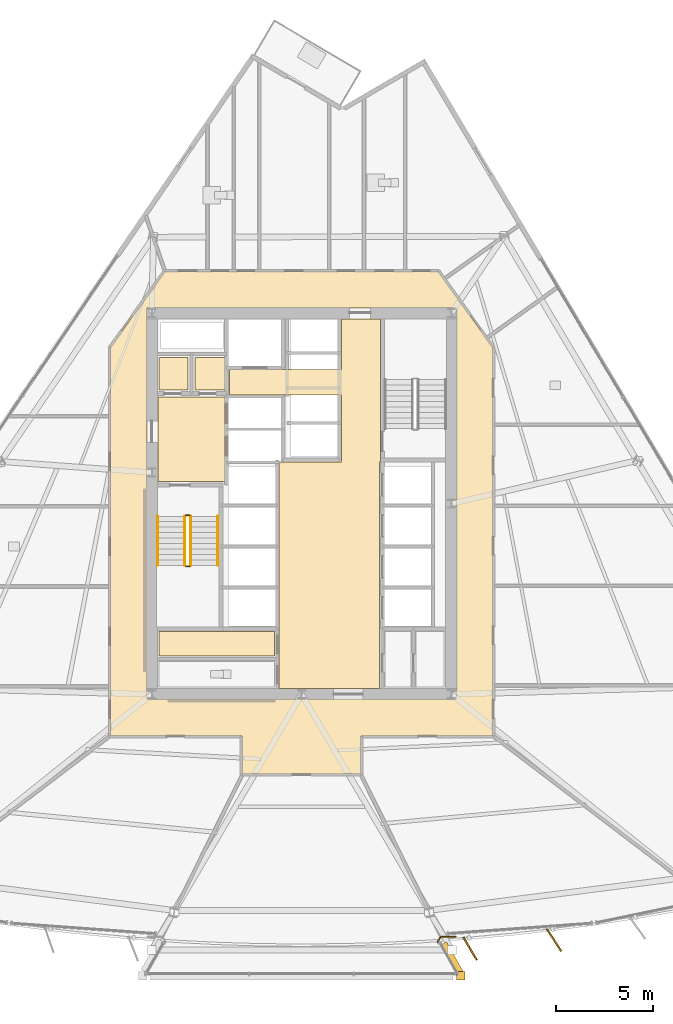
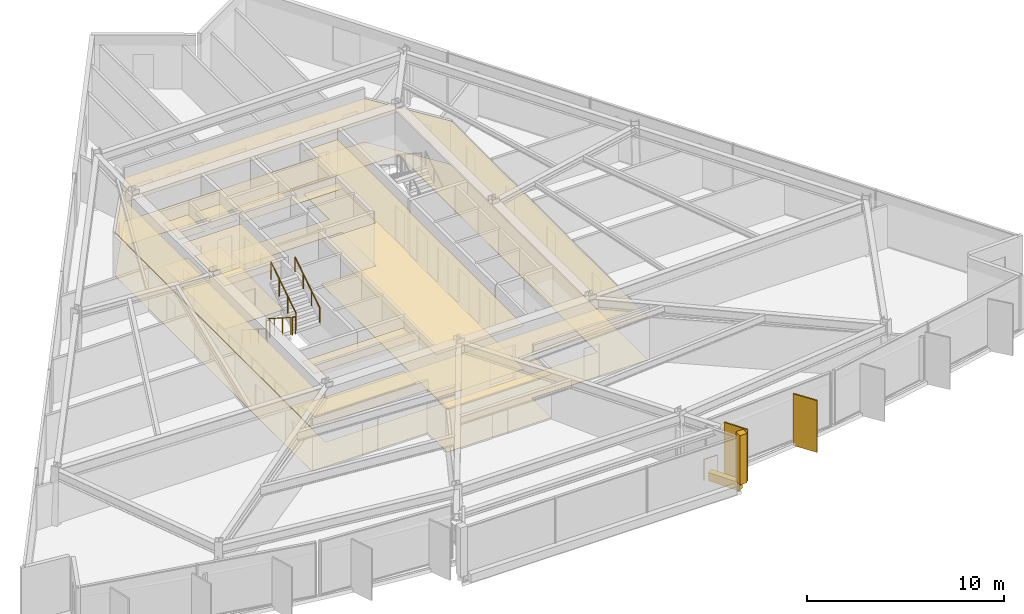
# One storey, part 13 of 16: 14 coverings, 7 railings, 2 shading devices.
"""IFC4 building model written with IfcOpenShell, lengths in metres."""

from ifc_helpers import new_model, si_unit, direction, frame, origin, origin_2d, place, context, subcontext, project, spatial, polyline, rectangle, circle, outline, extrude, material, layer, layer_set, type_object, element, save


model = new_model("IFC4")

# Units and contexts
model_context = context("Model", 3, precision=1e-05, world=origin(), true_north=direction((0.0, 1.0)))
body_context = subcontext(model_context, "Body", "Model", "MODEL_VIEW")
ifc_project = project(units=[si_unit("LENGTHUNIT", "METRE"), si_unit("AREAUNIT", "SQUARE_METRE"), si_unit("VOLUMEUNIT", "CUBIC_METRE"), si_unit("PLANEANGLEUNIT", "RADIAN"), si_unit("MASSUNIT", "GRAM", prefix="KILO")], contexts=[model_context])

# Site, building, storey
site_placement = place(None, origin())
site = spatial("IfcSite", under=ifc_project, at=site_placement, CompositionType="ELEMENT")
building_placement = place(site_placement, origin())
building = spatial("IfcBuilding", under=site, at=building_placement, Name="Savorim Split Tower", CompositionType="ELEMENT")
storey_placement = place(building_placement, frame((0.0, 0.0, 66.0)))
storey = spatial("IfcBuildingStorey", under=building, at=storey_placement, Name="L17", CompositionType="ELEMENT", Elevation=66.0)

# Coverings
ifc_material_1 = material(Name="Mineral Fibre Acoustic Ceiling")
ifc_layer_1 = layer(ifc_material_1, 0.02490234375)
ifc_layer_set_1 = layer_set([ifc_layer_1], Name="COV-CEIL-25")
covering_type_1 = type_object("IfcCoveringType", Name="COV-CEIL-25", PredefinedType="CEILING", material=ifc_layer_set_1)
covering_1_placement = place(storey_placement, frame((0.0, 0.0, 2.669921875)))
element("IfcCovering", 1, at=covering_1_placement, inside=storey, type_object=covering_type_1, Name="L17 Firefighting Lift Lobby Acoustic Ceiling", PredefinedType="CEILING", context=body_context, shape_type="SweptSolid", body=[
    extrude(outline(polyline([(-7.3798828125, 5.8701171875), (-7.3798828125, 1.530029296875), (-3.929931640625, 1.530029296875), (-3.929931640625, 5.8701171875), (-7.3798828125, 5.8701171875)])), origin(), (0.0, 0.0, 1.0), 0.025146484375),
])
covering_2_placement = place(storey_placement, frame((0.0, 0.0, 2.669921875)))
element("IfcCovering", 2, at=covering_2_placement, inside=storey, type_object=covering_type_1, Name="L17 Electrical Riser Acoustic Ceiling", PredefinedType="CEILING", context=body_context, shape_type="SweptSolid", body=[
    extrude(outline(polyline([(-7.320068359375, 7.919921875), (-7.320068359375, 6.22998046875), (-5.830078125, 6.22998046875), (-5.830078125, 7.919921875), (-7.320068359375, 7.919921875)])), origin(), (0.0, 0.0, 1.0), 0.025146484375),
])
covering_3_placement = place(storey_placement, frame((0.0, 0.0, 2.669921875)))
element("IfcCovering", 3, at=covering_3_placement, inside=storey, type_object=covering_type_1, Name="L17 Telecom Riser Acoustic Ceiling", PredefinedType="CEILING", context=body_context, shape_type="SweptSolid", body=[
    extrude(outline(polyline([(-5.469970703125, 7.919921875), (-5.469970703125, 6.22998046875), (-3.929931640625, 6.22998046875), (-3.929931640625, 7.919921875), (-5.469970703125, 7.919921875)])), origin(), (0.0, 0.0, 1.0), 0.025146484375),
])
covering_4_placement = place(storey_placement, frame((0.0, 0.0, 2.669921875)))
element("IfcCovering", 4, at=covering_4_placement, inside=storey, type_object=covering_type_1, Name="L17 Lift Lobby Acoustic Ceiling", PredefinedType="CEILING", context=body_context, shape_type="SweptSolid", body=[
    extrude(outline(polyline([(2.050048828125, 2.550048828125), (-1.14990234375, 2.550048828125), (-1.14990234375, -9.10009765625), (4.0, -9.10009765625), (4.0, 2.550048828125), (4.050048828125, 2.550048828125), (4.050048828125, 5.97998046875), (4.050048828125, 7.300048828125), (4.050048828125, 9.8798828125), (2.050048828125, 9.8798828125), (2.050048828125, 7.300048828125), (-3.699951171875, 7.300048828125), (-3.699951171875, 5.97998046875), (2.050048828125, 5.97998046875), (2.050048828125, 2.550048828125)])), origin(), (0.0, 0.0, 1.0), 0.025146484375),
])
covering_5_placement = place(storey_placement, frame((0.0, 0.0, 2.669921875)))
element("IfcCovering", 5, at=covering_5_placement, inside=storey, type_object=covering_type_1, Name="L17 Cleaning Store Acoustic Ceiling", PredefinedType="CEILING", context=body_context, shape_type="SweptSolid", body=[
    extrude(outline(polyline([(-7.320068359375, -6.179931640625), (-7.320068359375, -7.43994140625), (-1.3798828125, -7.43994140625), (-1.3798828125, -6.179931640625), (-7.320068359375, -6.179931640625)])), origin(), (0.0, 0.0, 1.0), 0.025146484375),
])
covering_6_placement = place(storey_placement, frame((0.0, 0.0, 2.669921875)))
element("IfcCovering", 6, at=covering_6_placement, inside=storey, type_object=covering_type_1, Name="L17 Corridor Acoustic Ceiling", PredefinedType="CEILING", context=body_context, shape_type="SweptSolid", body=[
    extrude(outline(polyline([(7.009521484375, 12.3291015625), (7.004638671875, 12.329833984375), (7.0, 12.330078125), (-7.0, 12.330078125), (-7.004638671875, 12.329833984375), (-7.009521484375, 12.3291015625), (-7.013916015625, 12.327880859375), (-7.0185546875, 12.326416015625), (-7.022705078125, 12.324462890625), (-7.027099609375, 12.322021484375), (-7.03076171875, 12.3193359375), (-7.034423828125, 12.31640625), (-7.03759765625, 12.312744140625), (-7.04052734375, 12.30908203125), (-9.820556640625, 8.42919921875), (-9.823486328125, 8.4248046875), (-9.82568359375, 8.420166015625), (-9.82763671875, 8.415283203125), (-9.828857421875, 8.410400390625), (-9.82958984375, 8.4052734375), (-9.830078125, 8.39990234375), (-9.830078125, -11.47998046875), (-9.829833984375, -11.48486328125), (-9.8291015625, -11.48974609375), (-9.827880859375, -11.494384765625), (-9.826171875, -11.4990234375), (-9.82421875, -11.503662109375), (-9.821533203125, -11.5078125), (-9.818603515625, -11.51171875), (-9.8154296875, -11.515380859375), (-9.811767578125, -11.518798828125), (-9.807861328125, -11.521484375), (-9.8037109375, -11.524169921875), (-9.799072265625, -11.526123046875), (-9.79443359375, -11.52783203125), (-9.789794921875, -11.529052734375), (-9.784912109375, -11.52978515625), (-9.780029296875, -11.530029296875), (-3.050048828125, -11.530029296875), (-3.050048828125, -13.449951171875), (-3.0498046875, -13.454833984375), (-3.049072265625, -13.459716796875), (-3.0478515625, -13.464599609375), (-3.046142578125, -13.468994140625), (-3.044189453125, -13.4736328125), (-3.04150390625, -13.477783203125), (-3.038818359375, -13.481689453125), (-3.035400390625, -13.4853515625), (-3.03173828125, -13.48876953125), (-3.02783203125, -13.49169921875), (-3.023681640625, -13.494140625), (-3.01904296875, -13.49609375), (-3.014404296875, -13.497802734375), (-3.009765625, -13.4990234375), (-3.0048828125, -13.499755859375), (-3.0, -13.5), (3.0, -13.5), (3.0048828125, -13.499755859375), (3.009765625, -13.4990234375), (3.014404296875, -13.497802734375), (3.01904296875, -13.49609375), (3.023681640625, -13.494140625), (3.02783203125, -13.49169921875), (3.03173828125, -13.48876953125), (3.035400390625, -13.4853515625), (3.038818359375, -13.481689453125), (3.04150390625, -13.477783203125), (3.044189453125, -13.4736328125), (3.046142578125, -13.468994140625), (3.0478515625, -13.464599609375), (3.049072265625, -13.459716796875), (3.0498046875, -13.454833984375), (3.050048828125, -13.449951171875), (3.050048828125, -11.530029296875), (9.780029296875, -11.530029296875), (9.784912109375, -11.52978515625), (9.789794921875, -11.529052734375), (9.79443359375, -11.52783203125), (9.799072265625, -11.526123046875), (9.8037109375, -11.524169921875), (9.807861328125, -11.521484375), (9.811767578125, -11.518798828125), (9.8154296875, -11.515380859375), (9.818603515625, -11.51171875), (9.821533203125, -11.5078125), (9.82421875, -11.503662109375), (9.826171875, -11.4990234375), (9.827880859375, -11.494384765625), (9.8291015625, -11.48974609375), (9.829833984375, -11.48486328125), (9.830078125, -11.47998046875), (9.830078125, 8.39990234375), (9.82958984375, 8.4052734375), (9.828857421875, 8.410400390625), (9.82763671875, 8.415283203125), (9.82568359375, 8.420166015625), (9.823486328125, 8.4248046875), (9.820556640625, 8.42919921875), (7.04052734375, 12.30908203125), (7.03759765625, 12.312744140625), (7.034423828125, 12.31640625), (7.03076171875, 12.3193359375), (7.027099609375, 12.322021484375), (7.022705078125, 12.324462890625), (7.0185546875, 12.326416015625), (7.013916015625, 12.327880859375), (7.009521484375, 12.3291015625)]), holes=[polyline([(-7.949951171875, 10.449951171875), (-7.949951171875, -9.64990234375), (7.949951171875, -9.64990234375), (7.949951171875, 10.449951171875), (-7.949951171875, 10.449951171875)])]), origin(), (0.0, 0.0, 1.0), 0.025146484375),
])
ifc_material_2 = material(Name="Porcelain Stoneware Flooring", Category="masonry")
ifc_layer_2 = layer(ifc_material_2, 0.02001953125)
ifc_layer_set_2 = layer_set([ifc_layer_2], Name="COV-FLOR-20")
covering_type_2 = type_object("IfcCoveringType", Name="COV-FLOR-20", PredefinedType="FLOORING", material=ifc_layer_set_2)
covering_7_placement = place(storey_placement, origin())
element("IfcCovering", 7, at=covering_7_placement, inside=storey, type_object=covering_type_2, Name="L17 Firefighting Lift Lobby Porcelain Flooring", PredefinedType="FLOORING", context=body_context, shape_type="SweptSolid", body=[
    extrude(outline(polyline([(-7.3798828125, 5.8701171875), (-7.3798828125, 1.530029296875), (-3.929931640625, 1.530029296875), (-3.929931640625, 5.8701171875), (-7.3798828125, 5.8701171875)])), origin(), (0.0, 0.0, 1.0), 0.02001953125),
])
covering_8_placement = place(storey_placement, origin())
element("IfcCovering", 8, at=covering_8_placement, inside=storey, type_object=covering_type_2, Name="L17 Electrical Riser Porcelain Flooring", PredefinedType="FLOORING", context=body_context, shape_type="SweptSolid", body=[
    extrude(outline(polyline([(-7.320068359375, 7.919921875), (-7.320068359375, 6.22998046875), (-5.830078125, 6.22998046875), (-5.830078125, 7.919921875), (-7.320068359375, 7.919921875)])), origin(), (0.0, 0.0, 1.0), 0.02001953125),
])
covering_9_placement = place(storey_placement, origin())
element("IfcCovering", 9, at=covering_9_placement, inside=storey, type_object=covering_type_2, Name="L17 Telecom Riser Porcelain Flooring", PredefinedType="FLOORING", context=body_context, shape_type="SweptSolid", body=[
    extrude(outline(polyline([(-5.469970703125, 7.919921875), (-5.469970703125, 6.22998046875), (-3.929931640625, 6.22998046875), (-3.929931640625, 7.919921875), (-5.469970703125, 7.919921875)])), origin(), (0.0, 0.0, 1.0), 0.02001953125),
])
covering_10_placement = place(storey_placement, origin())
element("IfcCovering", 10, at=covering_10_placement, inside=storey, type_object=covering_type_2, Name="L17 Lift Lobby Porcelain Flooring", PredefinedType="FLOORING", context=body_context, shape_type="SweptSolid", body=[
    extrude(outline(polyline([(2.050048828125, 2.550048828125), (-1.14990234375, 2.550048828125), (-1.14990234375, -9.10009765625), (4.0, -9.10009765625), (4.0, 2.550048828125), (4.050048828125, 2.550048828125), (4.050048828125, 5.97998046875), (4.050048828125, 7.300048828125), (4.050048828125, 9.8798828125), (2.050048828125, 9.8798828125), (2.050048828125, 7.300048828125), (-3.699951171875, 7.300048828125), (-3.699951171875, 5.97998046875), (2.050048828125, 5.97998046875), (2.050048828125, 2.550048828125)])), origin(), (0.0, 0.0, 1.0), 0.02001953125),
])
covering_11_placement = place(storey_placement, origin())
element("IfcCovering", 11, at=covering_11_placement, inside=storey, type_object=covering_type_2, Name="L17 Cleaning Store Porcelain Flooring", PredefinedType="FLOORING", context=body_context, shape_type="SweptSolid", body=[
    extrude(outline(polyline([(-7.320068359375, -6.179931640625), (-7.320068359375, -7.43994140625), (-1.3798828125, -7.43994140625), (-1.3798828125, -6.179931640625), (-7.320068359375, -6.179931640625)])), origin(), (0.0, 0.0, 1.0), 0.02001953125),
])
covering_12_placement = place(storey_placement, origin())
element("IfcCovering", 12, at=covering_12_placement, inside=storey, type_object=covering_type_2, Name="L17 Corridor Porcelain Flooring", PredefinedType="FLOORING", context=body_context, shape_type="SweptSolid", body=[
    extrude(outline(polyline([(7.009521484375, 12.3291015625), (7.004638671875, 12.329833984375), (7.0, 12.330078125), (-7.0, 12.330078125), (-7.004638671875, 12.329833984375), (-7.009521484375, 12.3291015625), (-7.013916015625, 12.327880859375), (-7.0185546875, 12.326416015625), (-7.022705078125, 12.324462890625), (-7.027099609375, 12.322021484375), (-7.03076171875, 12.3193359375), (-7.034423828125, 12.31640625), (-7.03759765625, 12.312744140625), (-7.04052734375, 12.30908203125), (-9.820556640625, 8.42919921875), (-9.823486328125, 8.4248046875), (-9.82568359375, 8.420166015625), (-9.82763671875, 8.415283203125), (-9.828857421875, 8.410400390625), (-9.82958984375, 8.4052734375), (-9.830078125, 8.39990234375), (-9.830078125, -11.47998046875), (-9.829833984375, -11.48486328125), (-9.8291015625, -11.48974609375), (-9.827880859375, -11.494384765625), (-9.826171875, -11.4990234375), (-9.82421875, -11.503662109375), (-9.821533203125, -11.5078125), (-9.818603515625, -11.51171875), (-9.8154296875, -11.515380859375), (-9.811767578125, -11.518798828125), (-9.807861328125, -11.521484375), (-9.8037109375, -11.524169921875), (-9.799072265625, -11.526123046875), (-9.79443359375, -11.52783203125), (-9.789794921875, -11.529052734375), (-9.784912109375, -11.52978515625), (-9.780029296875, -11.530029296875), (-3.050048828125, -11.530029296875), (-3.050048828125, -13.449951171875), (-3.0498046875, -13.454833984375), (-3.049072265625, -13.459716796875), (-3.0478515625, -13.464599609375), (-3.046142578125, -13.468994140625), (-3.044189453125, -13.4736328125), (-3.04150390625, -13.477783203125), (-3.038818359375, -13.481689453125), (-3.035400390625, -13.4853515625), (-3.03173828125, -13.48876953125), (-3.02783203125, -13.49169921875), (-3.023681640625, -13.494140625), (-3.01904296875, -13.49609375), (-3.014404296875, -13.497802734375), (-3.009765625, -13.4990234375), (-3.0048828125, -13.499755859375), (-3.0, -13.5), (3.0, -13.5), (3.0048828125, -13.499755859375), (3.009765625, -13.4990234375), (3.014404296875, -13.497802734375), (3.01904296875, -13.49609375), (3.023681640625, -13.494140625), (3.02783203125, -13.49169921875), (3.03173828125, -13.48876953125), (3.035400390625, -13.4853515625), (3.038818359375, -13.481689453125), (3.04150390625, -13.477783203125), (3.044189453125, -13.4736328125), (3.046142578125, -13.468994140625), (3.0478515625, -13.464599609375), (3.049072265625, -13.459716796875), (3.0498046875, -13.454833984375), (3.050048828125, -13.449951171875), (3.050048828125, -11.530029296875), (9.780029296875, -11.530029296875), (9.784912109375, -11.52978515625), (9.789794921875, -11.529052734375), (9.79443359375, -11.52783203125), (9.799072265625, -11.526123046875), (9.8037109375, -11.524169921875), (9.807861328125, -11.521484375), (9.811767578125, -11.518798828125), (9.8154296875, -11.515380859375), (9.818603515625, -11.51171875), (9.821533203125, -11.5078125), (9.82421875, -11.503662109375), (9.826171875, -11.4990234375), (9.827880859375, -11.494384765625), (9.8291015625, -11.48974609375), (9.829833984375, -11.48486328125), (9.830078125, -11.47998046875), (9.830078125, 8.39990234375), (9.82958984375, 8.4052734375), (9.828857421875, 8.410400390625), (9.82763671875, 8.415283203125), (9.82568359375, 8.420166015625), (9.823486328125, 8.4248046875), (9.820556640625, 8.42919921875), (7.04052734375, 12.30908203125), (7.03759765625, 12.312744140625), (7.034423828125, 12.31640625), (7.03076171875, 12.3193359375), (7.027099609375, 12.322021484375), (7.022705078125, 12.324462890625), (7.0185546875, 12.326416015625), (7.013916015625, 12.327880859375), (7.009521484375, 12.3291015625)]), holes=[polyline([(-7.949951171875, 10.449951171875), (-7.949951171875, -9.64990234375), (7.949951171875, -9.64990234375), (7.949951171875, 10.449951171875), (-7.949951171875, 10.449951171875)])]), origin(), (0.0, 0.0, 1.0), 0.02001953125),
])
ifc_material_3 = material(Name="White Porcelain Architectural Cladding")
ifc_layer_3 = layer(ifc_material_3, 0.139892578125)
ifc_layer_set_3 = layer_set([ifc_layer_3], Name="COV-FRM-WHITE")
covering_type_3 = type_object("IfcCoveringType", Name="COV-FRM-WHITE", PredefinedType="CLADDING", material=ifc_layer_set_3)
covering_13_placement = place(storey_placement, frame((0.0, 0.0, 0.010009765625)))
element("IfcCovering", 13, at=covering_13_placement, inside=storey, type_object=covering_type_3, Name="L17 Cantilevered Lounge White Lower Frame Band E", PredefinedType="CLADDING", context=body_context, shape_type="SweptSolid", body=[
    extrude(outline(polyline([(8.32958984375, -23.681884765625), (7.443603515625, -22.114990234375), (7.147705078125, -22.282470703125), (8.03369140625, -23.849365234375), (8.32958984375, -23.681884765625)])), origin(), (0.0, 0.0, 1.0), 0.510009765625),
])
covering_14_placement = place(storey_placement, frame((0.0, 0.0, 0.5400390625)))
element("IfcCovering", 14, at=covering_14_placement, inside=storey, type_object=covering_type_3, Name="L17 Cantilevered Lounge White Frame Corner Post 2", PredefinedType="CLADDING", context=body_context, shape_type="SweptSolid", body=[
    extrude(outline(polyline([(7.967529296875, -24.06982421875), (8.3876953125, -24.06982421875), (8.3876953125, -23.64990234375), (7.967529296875, -23.64990234375), (7.967529296875, -24.06982421875)])), origin(), (0.0, 0.0, 1.0), 3.050048828125),
])

# Railings
ifc_material_4 = material(Name="Galvanised Painted Steel Balustrade", Category="steel")
railing_type_1 = type_object("IfcRailingType", Name="RLG-BAL-1100", PredefinedType="BALUSTRADE", material=ifc_material_4)
railing_1_placement = place(storey_placement, frame((6.986328125, -22.13330078125, 0.0)))
element("IfcRailing", 15, at=railing_1_placement, inside=storey, type_object=railing_type_1, Name="L17 Cantilevered Lounge East Edge Closure Guard", PredefinedType="BALUSTRADE", context=body_context, shape_type="SweptSolid", body=[
    extrude(circle(Radius=0.02392578125, at=origin_2d()), frame((0.0, 0.0, 1.076171875), z_axis=(0.481582589665, 0.876400712763, 0.0), x_axis=(-0.876400712763, 0.481582589665, 0.0)), (0.0, 0.0, 1.0), 0.306640625),
    extrude(circle(Radius=0.02392578125, at=origin_2d()), frame((0.147705078125, 0.268798828125, 1.076171875), z_axis=(1.0, 0.0, 0.0), x_axis=(0.0, 1.0, 0.0)), (0.0, 0.0, 1.0), 0.780029296875),
    extrude(circle(Radius=0.02099609375, at=origin_2d()), origin(), (0.0, 0.0, 1.0), 1.052001953125),
    extrude(circle(Radius=0.02099609375, at=origin_2d()), frame((0.147705078125, 0.268798828125, 0.0)), (0.0, 0.0, 1.0), 1.052001953125),
    extrude(circle(Radius=0.02099609375, at=origin_2d()), frame((0.927734375, 0.268798828125, 0.0)), (0.0, 0.0, 1.0), 1.052001953125),
])
railing_type_2 = type_object("IfcRailingType", Name="RLG-HR-900", PredefinedType="HANDRAIL", material=ifc_material_4)
railing_2_placement = place(storey_placement, frame((-7.39990234375, -0.25, 0.179931640625)))
element("IfcRailing", 16, at=railing_2_placement, inside=storey, type_object=railing_type_2, Name="L17 ST-1 stair handrail 1", PredefinedType="HANDRAIL", context=body_context, shape_type="SweptSolid", body=[
    extrude(circle(Radius=0.02392578125, at=origin_2d()), frame((0.0, 0.0, 0.8759765625), z_axis=(0.0, -0.841162588446, 0.540782303519), x_axis=(1.0, 0.0, 0.0)), (0.0, 0.0, 1.0), 2.995849609375),
    extrude(circle(Radius=0.02099609375, at=origin_2d()), origin(), (0.0, 0.0, 1.0), 0.851806640625),
    extrude(circle(Radius=0.02099609375, at=origin_2d()), frame((0.0, -0.840087890625, 0.5400390625)), (0.0, 0.0, 1.0), 0.851806640625),
    extrude(circle(Radius=0.02099609375, at=origin_2d()), frame((0.0, -1.679931640625, 1.080078125)), (0.0, 0.0, 1.0), 0.851806640625),
    extrude(circle(Radius=0.02099609375, at=origin_2d()), frame((0.0, -2.52001953125, 1.6201171875)), (0.0, 0.0, 1.0), 0.851806640625),
])
railing_3_placement = place(storey_placement, frame((-4.300048828125, -2.77001953125, 1.97998046875)))
element("IfcRailing", 17, at=railing_3_placement, inside=storey, type_object=railing_type_2, Name="L17 ST-1 stair handrail 2", PredefinedType="HANDRAIL", context=body_context, shape_type="SweptSolid", body=[
    extrude(circle(Radius=0.02392578125, at=origin_2d()), frame((0.0, 0.0, 0.8759765625), z_axis=(0.0, 0.841162588446, 0.540782303519), x_axis=(-1.0, 0.0, 0.0)), (0.0, 0.0, 1.0), 2.995849609375),
    extrude(circle(Radius=0.02099609375, at=origin_2d()), origin(), (0.0, 0.0, 1.0), 0.851806640625),
    extrude(circle(Radius=0.02099609375, at=origin_2d()), frame((0.0, 0.840087890625, 0.5400390625)), (0.0, 0.0, 1.0), 0.851806640625),
    extrude(circle(Radius=0.02099609375, at=origin_2d()), frame((0.0, 1.679931640625, 1.080078125)), (0.0, 0.0, 1.0), 0.851806640625),
    extrude(circle(Radius=0.02099609375, at=origin_2d()), frame((0.0, 2.52001953125, 1.6201171875)), (0.0, 0.0, 1.0), 0.851806640625),
])
railing_type_3 = type_object("IfcRailingType", Name="RLG-STG-1100", PredefinedType="BALUSTRADE", material=ifc_material_4)
railing_4_placement = place(storey_placement, frame((-6.0, -0.25, 0.179931640625)))
element("IfcRailing", 18, at=railing_4_placement, inside=storey, type_object=railing_type_3, Name="L17 ST-1 stair guard 1", PredefinedType="BALUSTRADE", context=body_context, shape_type="SweptSolid", body=[
    extrude(circle(Radius=0.02392578125, at=origin_2d()), frame((0.0, 0.0, 1.076171875), z_axis=(0.0, -0.841162588446, 0.540782303519), x_axis=(1.0, 0.0, 0.0)), (0.0, 0.0, 1.0), 2.995849609375),
    extrude(circle(Radius=0.02099609375, at=origin_2d()), origin(), (0.0, 0.0, 1.0), 1.052001953125),
    extrude(circle(Radius=0.02099609375, at=origin_2d()), frame((0.0, -0.840087890625, 0.5400390625)), (0.0, 0.0, 1.0), 1.052001953125),
    extrude(circle(Radius=0.02099609375, at=origin_2d()), frame((0.0, -1.679931640625, 1.080078125)), (0.0, 0.0, 1.0), 1.052001953125),
    extrude(circle(Radius=0.02099609375, at=origin_2d()), frame((0.0, -2.52001953125, 1.6201171875)), (0.0, 0.0, 1.0), 1.052001953125),
])
railing_5_placement = place(storey_placement, frame((-5.949951171875, -2.820068359375, 1.800048828125)))
element("IfcRailing", 19, at=railing_5_placement, inside=storey, type_object=railing_type_3, Name="L17 ST-1 stair guard 2", PredefinedType="BALUSTRADE", context=body_context, shape_type="SweptSolid", body=[
    extrude(circle(Radius=0.02392578125, at=origin_2d()), frame((0.0, 0.0, 1.076171875), z_axis=(1.0, 0.0, 0.0), x_axis=(0.0, 1.0, 0.0)), (0.0, 0.0, 1.0), 0.199951171875),
    extrude(circle(Radius=0.02099609375, at=origin_2d()), origin(), (0.0, 0.0, 1.0), 1.052001953125),
    extrude(circle(Radius=0.02099609375, at=origin_2d()), frame((0.199951171875, 0.0, 0.0)), (0.0, 0.0, 1.0), 1.052001953125),
])
railing_6_placement = place(storey_placement, frame((-5.699951171875, -2.77001953125, 1.97998046875)))
element("IfcRailing", 20, at=railing_6_placement, inside=storey, type_object=railing_type_3, Name="L17 ST-1 stair guard 3", PredefinedType="BALUSTRADE", context=body_context, shape_type="SweptSolid", body=[
    extrude(circle(Radius=0.02392578125, at=origin_2d()), frame((0.0, 0.0, 1.076171875), z_axis=(0.0, 0.841162588446, 0.540782303519), x_axis=(-1.0, 0.0, 0.0)), (0.0, 0.0, 1.0), 2.995849609375),
    extrude(circle(Radius=0.02099609375, at=origin_2d()), origin(), (0.0, 0.0, 1.0), 1.052001953125),
    extrude(circle(Radius=0.02099609375, at=origin_2d()), frame((0.0, 0.840087890625, 0.5400390625)), (0.0, 0.0, 1.0), 1.052001953125),
    extrude(circle(Radius=0.02099609375, at=origin_2d()), frame((0.0, 1.679931640625, 1.080078125)), (0.0, 0.0, 1.0), 1.052001953125),
    extrude(circle(Radius=0.02099609375, at=origin_2d()), frame((0.0, 2.52001953125, 1.6201171875)), (0.0, 0.0, 1.0), 1.052001953125),
])
railing_7_placement = place(storey_placement, frame((-5.949951171875, -0.199951171875, 0.0)))
element("IfcRailing", 21, at=railing_7_placement, inside=storey, type_object=railing_type_3, Name="L17 ST-1 stair guard 4", PredefinedType="BALUSTRADE", context=body_context, shape_type="SweptSolid", body=[
    extrude(circle(Radius=0.02392578125, at=origin_2d()), frame((0.0, 0.0, 1.076171875), z_axis=(1.0, 0.0, 0.0), x_axis=(0.0, 1.0, 0.0)), (0.0, 0.0, 1.0), 0.199951171875),
    extrude(circle(Radius=0.02099609375, at=origin_2d()), origin(), (0.0, 0.0, 1.0), 1.052001953125),
    extrude(circle(Radius=0.02099609375, at=origin_2d()), frame((0.199951171875, 0.0, 0.0)), (0.0, 0.0, 1.0), 1.052001953125),
])

# Shading devices
ifc_material_5 = material(Name="Terracotta Ceramic-Coated Aluminium Fin", Category="masonry")
shading_device_type = type_object("IfcShadingDeviceType", Name="SHD-FIN-1360", PredefinedType="USERDEFINED", material=ifc_material_5)
for number, where, z_axis, x_axis, name in (
    (22, (8.659423828125, -22.4716796875, -0.2001953125), (0.0, 0.0, 1.0), (0.510391336723, -0.859942255851, 0.0), "L17 Sawtooth Shading Fin 09"),
    (23, (12.97119140625, -22.029052734375, -0.2001953125), (0.0, 0.0, 1.0), (0.545148321708, -0.838339613366, 0.0), "L17 Sawtooth Shading Fin 10"),
):
    element("IfcShadingDevice", number, at=place(storey_placement, frame(where, z_axis=z_axis, x_axis=x_axis)), inside=storey, type_object=shading_device_type, Name=name, ObjectType="FIN", PredefinedType="USERDEFINED", context=body_context, shape_type="SweptSolid", body=[
        extrude(rectangle(XDim=1.360107421875, YDim=0.080078125, at=origin_2d()), origin(), (0.0, 0.0, 1.0), 3.199951171875),
    ])

save(model, "model.ifc")
